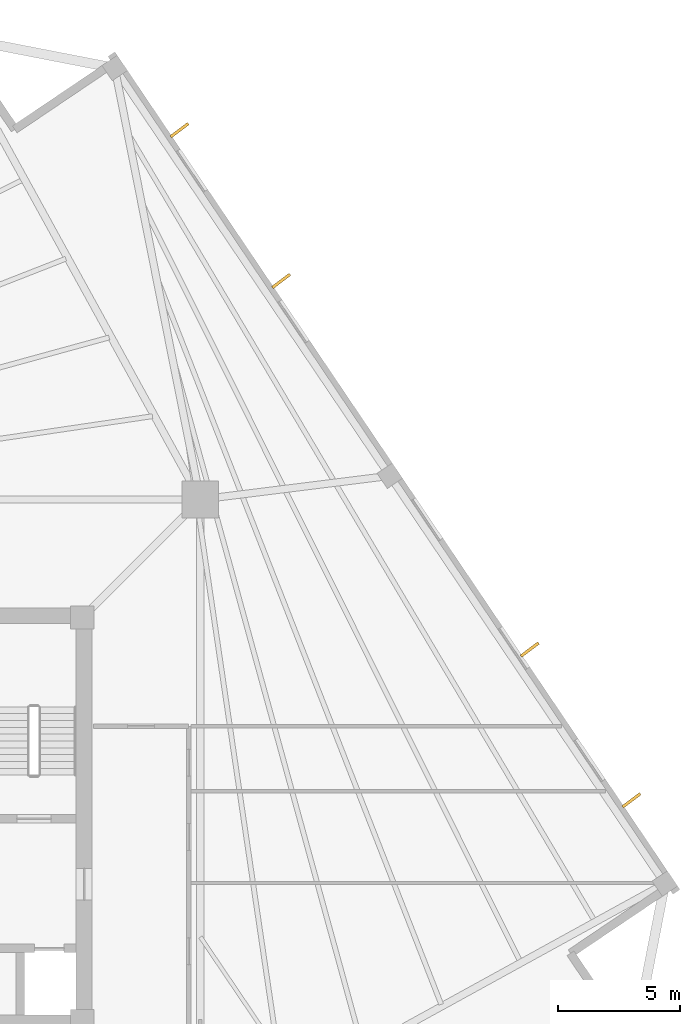
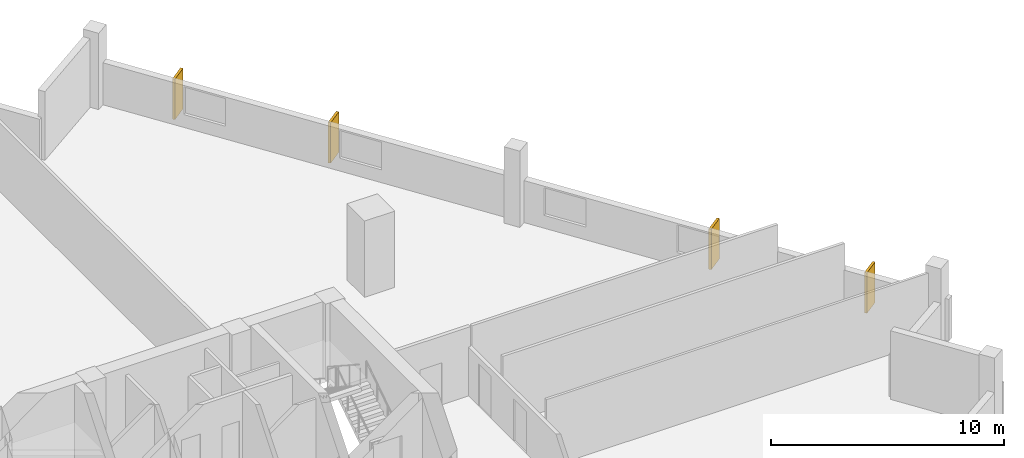
# One storey, part 8 of 8: 4 coverings.
"""IFC4 building model written with IfcOpenShell, lengths in metres."""

import ifcopenshell
import ifcopenshell.guid

model = None  # the IFC model being written
_history = None  # IfcOwnerHistory: only IFC2X3 demands one
_inside = {}  # id of a spatial element -> (the spatial element, [elements in it])
_under = {}  # id of a project, library or spatial element -> (it, [spatial elements below it])
_declared = {}  # id of a project -> (the project, [libraries it declares])
_typed = {}  # id of a type object -> (the type object, [elements of that type])
_made_of = {}  # id of a material, layer set ... -> (it, [elements and type objects made of it])


def new_model(schema):
    """Start an empty IFC model of exactly this schema.

    Asked for "IFC4X3", IfcOpenShell would pick the latest addendum, in which some entities
    have other attributes; the version numbers below select the first issue.
    IFC2X3 requires an IfcOwnerHistory on every rooted entity: one is made here for all.
    """
    global model, _history
    if schema == "IFC4X3":
        model = ifcopenshell.file(schema_version=(4, 3, 0, 0))
    else:
        model = ifcopenshell.file(schema=schema)
    _inside.clear()
    _under.clear()
    _declared.clear()
    _typed.clear()
    _made_of.clear()
    _history = None
    if model.schema == "IFC2X3":
        org = make("IfcOrganization", Name="unknown")
        user = make(
            "IfcPersonAndOrganization",
            ThePerson=make("IfcPerson", FamilyName="unknown"),
            TheOrganization=org,
        )
        app = make(
            "IfcApplication",
            ApplicationDeveloper=org,
            Version="unknown",
            ApplicationFullName="unknown",
            ApplicationIdentifier="unknown",
        )
        _history = make(
            "IfcOwnerHistory",
            OwningUser=user,
            OwningApplication=app,
            ChangeAction="ADDED",
            CreationDate=0,
        )
    return model


def make(cls, **values):
    """One entity of the class cls with the attributes given. An attribute that is None is left unset."""
    return model.create_entity(
        cls, **{name: value for name, value in values.items() if value is not None}
    )


def rooted(cls, **values):
    """An entity with a GlobalId (a new one), such as an element, a storey or a relation."""
    return make(cls, GlobalId=ifcopenshell.guid.new(), OwnerHistory=_history, **values)


def si_unit(unit_type, name, prefix=None):
    """IfcSIUnit, for example si_unit("LENGTHUNIT", "METRE", prefix="MILLI")."""
    return make("IfcSIUnit", UnitType=unit_type, Prefix=prefix, Name=name)


def assignment(units):
    """IfcUnitAssignment: the units of a project."""
    return None if units is None else make("IfcUnitAssignment", Units=units)


def point(xyz):
    """IfcCartesianPoint."""
    return None if xyz is None else make("IfcCartesianPoint", Coordinates=xyz)


def direction(xyz):
    """IfcDirection."""
    return None if xyz is None else make("IfcDirection", DirectionRatios=xyz)


def frame(location, z_axis=None, x_axis=None):
    """IfcAxis2Placement3D, a coordinate frame: its origin and axes. An axis left out is left unset."""
    return make(
        "IfcAxis2Placement3D",
        Location=point(location),
        Axis=direction(z_axis),
        RefDirection=direction(x_axis),
    )


def frame_2d(location, x_axis=None):
    """IfcAxis2Placement2D, a coordinate frame in the plane: its origin and x axis."""
    return make(
        "IfcAxis2Placement2D", Location=point(location), RefDirection=direction(x_axis)
    )


def origin():
    """The frame at (0, 0, 0) with its axes left unset."""
    return frame((0.0, 0.0, 0.0))


def origin_2d():
    """The frame at (0, 0) in the plane with its x axis left unset."""
    return frame_2d((0.0, 0.0))


def place(relative_to, where):
    """IfcLocalPlacement: puts the frame where relative to a parent placement (None: the world)."""
    return make(
        "IfcLocalPlacement", PlacementRelTo=relative_to, RelativePlacement=where
    )


def context(
    kind, dimensions, precision=None, world=None, true_north=None, identifier=None
):
    """IfcGeometricRepresentationContext, for example the 3D "Model" context."""
    return make(
        "IfcGeometricRepresentationContext",
        ContextIdentifier=identifier,
        ContextType=kind,
        CoordinateSpaceDimension=dimensions,
        Precision=precision,
        WorldCoordinateSystem=world,
        TrueNorth=true_north,
    )


def subcontext(parent, identifier, kind, view, scale=None):
    """IfcGeometricRepresentationSubContext, for example "Body" below "Model"."""
    return make(
        "IfcGeometricRepresentationSubContext",
        ContextIdentifier=identifier,
        ContextType=kind,
        ParentContext=parent,
        TargetScale=scale,
        TargetView=view,
    )


def project(units=None, contexts=None):
    """IfcProject with its units and contexts."""
    return rooted(
        "IfcProject",
        Name="project",
        RepresentationContexts=contexts,
        UnitsInContext=assignment(units),
    )


def spatial(cls, under=None, at=None, **own):
    """A site, building, storey or space (cls), placed at a placement, below another one or the project."""
    s = rooted(cls, ObjectPlacement=at, **own)
    if under is not None:
        _under.setdefault(under.id(), (under, []))[1].append(s)
    return s


def profile(cls, at=None, kind="AREA", **sizes):
    """A parametric profile (cls). Its sizes go by their IFC names, for example OverallWidth=200.0."""
    return make(cls, ProfileType=kind, Position=at, **sizes)


def rectangle(**sizes):
    """IfcRectangleProfileDef."""
    return profile("IfcRectangleProfileDef", **sizes)


def extrude(swept, where, along, depth):
    """IfcExtrudedAreaSolid: the profile swept, set in the frame where, extruded along a direction by depth."""
    return make(
        "IfcExtrudedAreaSolid",
        SweptArea=swept,
        Position=where,
        ExtrudedDirection=direction(along),
        Depth=depth,
    )


def shape(context_of_items, identifier, shape_type, items):
    """IfcShapeRepresentation: the items that make up one representation, for example the "Body"."""
    return make(
        "IfcShapeRepresentation",
        ContextOfItems=context_of_items,
        RepresentationIdentifier=identifier,
        RepresentationType=shape_type,
        Items=items,
    )


def source(mapping_origin, context_of_items, identifier, shape_type, items):
    """IfcRepresentationMap: a shape defined once, which mapped items show again and again."""
    return make(
        "IfcRepresentationMap",
        MappingOrigin=mapping_origin,
        MappedRepresentation=shape(context_of_items, identifier, shape_type, items),
    )


def transform(
    local_origin,
    x_axis=None,
    y_axis=None,
    z_axis=None,
    scale=None,
    scale2=None,
    scale3=None,
    uniform=True,
):
    """IfcCartesianTransformationOperator3D, or its non-uniform kind. x_axis, y_axis, z_axis: its Axis1, 2, 3."""
    if uniform:
        return make(
            "IfcCartesianTransformationOperator3D",
            Axis1=direction(x_axis),
            Axis2=direction(y_axis),
            LocalOrigin=point(local_origin),
            Scale=scale,
            Axis3=direction(z_axis),
        )
    return make(
        "IfcCartesianTransformationOperator3DnonUniform",
        Axis1=direction(x_axis),
        Axis2=direction(y_axis),
        LocalOrigin=point(local_origin),
        Scale=scale,
        Axis3=direction(z_axis),
        Scale2=scale2,
        Scale3=scale3,
    )


def mapped(mapping_source, mapping_target):
    """IfcMappedItem: shows the shape of a source again, moved by a transform."""
    return make(
        "IfcMappedItem", MappingSource=mapping_source, MappingTarget=mapping_target
    )


def material(Name=None, Category=None):
    """IfcMaterial."""
    return make("IfcMaterial", Name=Name, Category=Category)


def layer(
    of_material, thickness, ventilated=None, Name=None, Category=None, Priority=None
):
    """IfcMaterialLayer: one layer of a wall or slab, of a material (None: an air gap)."""
    return make(
        "IfcMaterialLayer",
        Material=of_material,
        LayerThickness=thickness,
        IsVentilated=ventilated,
        Name=Name,
        Category=Category,
        Priority=Priority,
    )


def layer_set(layers, Name=None):
    """IfcMaterialLayerSet."""
    return make("IfcMaterialLayerSet", MaterialLayers=layers, LayerSetName=Name)


def made_of(thing, what):
    """Note that an element or type object is made of a material, layer set ...; save() writes the relation."""
    if what is not None:
        _made_of.setdefault(what.id(), (what, []))[1].append(thing)
    return thing


def type_object(cls, material=None, **own):
    """A type object (cls), such as IfcWallType, which elements share."""
    return made_of(rooted(cls, **own), material)


def element(
    cls,
    number,
    at=None,
    inside=None,
    cuts=None,
    type_object=None,
    material=None,
    context=None,
    identifier="Body",
    shape_type=None,
    held_by="IfcProductDefinitionShape",
    body=None,
    shapes=None,
    **own,
):
    """One element of the class cls, such as IfcWall. Its Tag is "e" and its number.

    at: its placement. inside: the storey or other place that contains it. cuts: it is an
    opening in that element (IfcRelVoidsElement). A single representation is given by context,
    identifier, shape_type and body (its items); several are given by shapes. held_by: the class
    of the entity that holds the representations. save() writes the other relations.
    """
    e = rooted(cls, Tag="e%d" % number, ObjectPlacement=at, **own)
    if body is not None:
        shapes = [shape(context, identifier, shape_type, body)]
    if shapes is not None:
        e.Representation = make(held_by, Representations=shapes)
    if inside is not None:
        _inside.setdefault(inside.id(), (inside, []))[1].append(e)
    if cuts is not None:
        rooted(
            "IfcRelVoidsElement", RelatingBuildingElement=cuts, RelatedOpeningElement=e
        )
    if type_object is not None:
        _typed.setdefault(type_object.id(), (type_object, []))[1].append(e)
    return made_of(e, material)


def aggregate(whole, parts):
    """IfcRelAggregates: a whole, such as a stair, and the parts it consists of."""
    return rooted("IfcRelAggregates", RelatingObject=whole, RelatedObjects=parts)


def save(model, path):
    """Write the relations noted so far, then the file.

    IfcRelAggregates (storeys below a building ...), IfcRelContainedInSpatialStructure (elements
    in a storey), IfcRelDefinesByType, IfcRelAssociatesMaterial and IfcRelDeclares: one each for
    every whole, place, type object, material and project.
    """
    for whole, parts in _under.values():
        aggregate(whole, parts)
    for where, things in _inside.values():
        rooted(
            "IfcRelContainedInSpatialStructure",
            RelatedElements=things,
            RelatingStructure=where,
        )
    for kind, things in _typed.values():
        rooted("IfcRelDefinesByType", RelatedObjects=things, RelatingType=kind)
    for what, things in _made_of.values():
        rooted("IfcRelAssociatesMaterial", RelatedObjects=things, RelatingMaterial=what)
    for by, libraries in _declared.values():
        rooted("IfcRelDeclares", RelatingContext=by, RelatedDefinitions=libraries)
    model.write(path)


model = new_model("IFC4")

# Units and contexts
model_context = context("Model", 3, precision=1e-05, world=origin(), true_north=direction((0.0, 1.0)))
body_context = subcontext(model_context, "Body", "Model", "MODEL_VIEW")
ifc_project = project(units=[si_unit("LENGTHUNIT", "METRE"), si_unit("AREAUNIT", "SQUARE_METRE"), si_unit("VOLUMEUNIT", "CUBIC_METRE"), si_unit("PLANEANGLEUNIT", "RADIAN"), si_unit("MASSUNIT", "GRAM", prefix="KILO"), si_unit("THERMODYNAMICTEMPERATUREUNIT", "KELVIN")], contexts=[model_context])

# Site, building, storey
site_placement = place(None, origin())
site = spatial("IfcSite", under=ifc_project, at=site_placement, CompositionType="ELEMENT")
building_placement = place(site_placement, origin())
building = spatial("IfcBuilding", under=site, at=building_placement, Name="Kosmvard Interchange Tower", CompositionType="ELEMENT")
storey_placement = place(building_placement, frame((0.0, 0.0, 196.39990234375)))
storey = spatial("IfcBuildingStorey", under=building, at=storey_placement, Name="L47", CompositionType="ELEMENT", Elevation=196.39990234375)

# Coverings
ifc_material = material(Name="Architectural anodised aluminium", Category="aluminium")
ifc_layer = layer(ifc_material, 0.1201171875, Name="Architectural anodised aluminium")
ifc_layer_set = layer_set([ifc_layer], Name="Architectural anodised aluminium")
covering_type = type_object("IfcCoveringType", Name="Rotating Vertical Sun-Breaker Fin 900x120 Aluminium", PredefinedType="CLADDING", material=ifc_layer_set)
shared_shape = source(origin(), body_context, "Body", "SweptSolid", [
    extrude(rectangle(XDim=0.89990234375, YDim=0.1201171875, at=origin_2d()), origin(), (0.0, 0.0, 1.0), 2.1201171875),
])
for number, where, z_axis, x_axis, name in (
    (1, (30.718994140625, 0.774169921875, 0.0400390625), (0.0, 0.0, 1.0), (0.799370169588, 0.60083885691, 0.0), "L47 Rotating Vertical Sun-Breaker Fin 05"),
    (2, (26.557861328125, 6.943115234375, 0.0400390625), (0.0, 0.0, 1.0), (0.799370169588, 0.60083885691, 0.0), "L47 Rotating Vertical Sun-Breaker Fin 06"),
    (3, (16.38623046875, 22.02294921875, 0.0400390625), (0.0, 0.0, 1.0), (0.799370169588, 0.60083885691, 0.0), "L47 Rotating Vertical Sun-Breaker Fin 07"),
    (4, (12.225341796875, 28.192138671875, 0.0400390625), (0.0, 0.0, 1.0), (0.799370169588, 0.60083885691, 0.0), "L47 Rotating Vertical Sun-Breaker Fin 08"),
):
    element("IfcCovering", number, at=place(storey_placement, frame(where, z_axis=z_axis, x_axis=x_axis)), inside=storey, type_object=covering_type, Name=name, PredefinedType="CLADDING", context=body_context, shape_type="MappedRepresentation", body=[
        mapped(shared_shape, transform((0.0, 0.0, 0.0), scale=1.0)),
    ])

save(model, "model.ifc")
